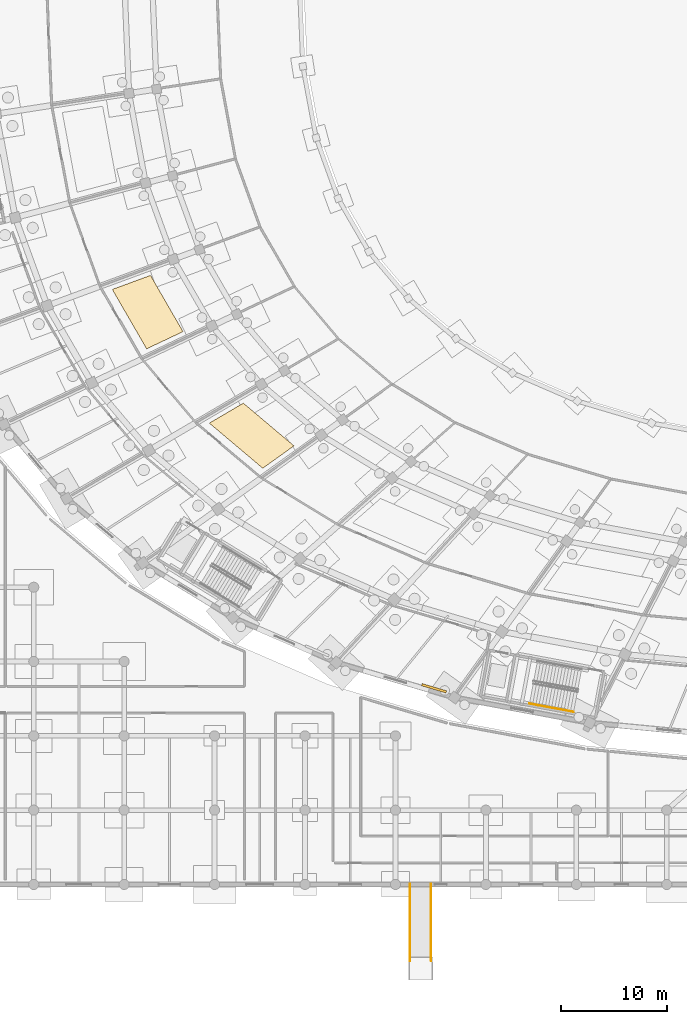
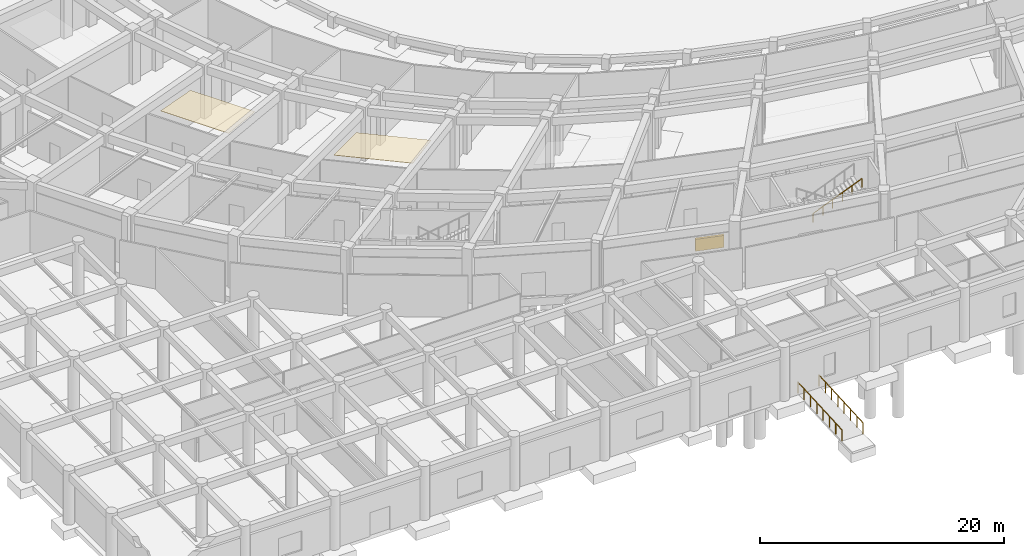
# One storey, part 69 of 88: 3 railings, 2 coverings, 1 shading device.
"""IFC4 building model written with IfcOpenShell, lengths in metres."""

from ifc_helpers import new_model, si_unit, direction, frame, origin, origin_2d, place, context, subcontext, project, spatial, polyline, rectangle, circle, outline, extrude, material, layer, layer_set, type_object, element, save


model = new_model("IFC4")

# Units and contexts
model_context = context("Model", 3, precision=1e-05, world=origin(), true_north=direction((0.0, 1.0)))
body_context = subcontext(model_context, "Body", "Model", "MODEL_VIEW")
ifc_project = project(units=[si_unit("LENGTHUNIT", "METRE"), si_unit("AREAUNIT", "SQUARE_METRE"), si_unit("VOLUMEUNIT", "CUBIC_METRE"), si_unit("PLANEANGLEUNIT", "RADIAN"), si_unit("MASSUNIT", "GRAM", prefix="KILO")], contexts=[model_context])

# Site, building, storey
site_placement = place(None, origin())
site = spatial("IfcSite", under=ifc_project, at=site_placement, CompositionType="ELEMENT")
building_placement = place(site_placement, origin())
building = spatial("IfcBuilding", under=site, at=building_placement, Name="Mphavela Belvedere Stadium", CompositionType="ELEMENT")
storey_placement = place(building_placement, origin())
storey = spatial("IfcBuildingStorey", under=building, at=storey_placement, Name="L00", CompositionType="ELEMENT", Elevation=0.0)

# Coverings
ifc_material_1 = material(Name="Perforated acoustic mineral ceiling tile")
ifc_layer = layer(ifc_material_1, 0.0400390625)
ifc_layer_set = layer_set([ifc_layer], Name="Perforated acoustic mineral ceiling tile")
covering_type = type_object("IfcCoveringType", Name="COV-CEILING-ACOUSTIC", PredefinedType="CEILING", material=ifc_layer_set)
covering_1_placement = place(storey_placement, frame((0.0, 0.0, 4.10009765625)))
element("IfcCovering", 1, at=covering_1_placement, inside=storey, type_object=covering_type, Name="Concourse acoustic ceiling L00-28", PredefinedType="CEILING", context=body_context, shape_type="SweptSolid", body=[
    extrude(outline(polyline([(36.55224609375, 57.37451171875), (39.614501953125, 52.07861328125), (36.189208984375, 50.457275390625), (32.955810546875, 56.049560546875), (36.55224609375, 57.37451171875)])), origin(), (0.0, 0.0, 1.0), 0.039794921875),
])
covering_2_placement = place(storey_placement, frame((0.0, 0.0, 4.10009765625)))
element("IfcCovering", 2, at=covering_2_placement, inside=storey, type_object=covering_type, Name="Concourse acoustic ceiling L00-30", PredefinedType="CEILING", context=body_context, shape_type="SweptSolid", body=[
    extrude(outline(polyline([(45.30078125, 45.339111328125), (50.068359375, 41.316162109375), (47.129150390625, 39.210205078125), (42.094970703125, 43.4580078125), (45.30078125, 45.339111328125)])), origin(), (0.0, 0.0, 1.0), 0.039794921875),
])

# Railings
ifc_material_2 = material(Name="Painted galvanised steel stair guardrail", Category="steel")
railing_type_1 = type_object("IfcRailingType", Name="RAL-GUARD-1120", PredefinedType="GUARDRAIL", material=ifc_material_2)
for number, where, name in (
    (3, (63.0, -7.199951171875, -0.39990234375), "Ramp RP1 guardrail R"),
    (4, (61.0, -7.199951171875, -0.39990234375), "Ramp RP1 guardrail L"),
):
    element("IfcRailing", number, at=place(storey_placement, frame(where)), inside=storey, type_object=railing_type_1, Name=name, PredefinedType="GUARDRAIL", context=body_context, shape_type="SweptSolid", body=[
        extrude(circle(Radius=0.02392578125, at=origin_2d()), frame((0.0, 0.0, 1.09619140625), z_axis=(0.0, 0.998482207996, 0.055075224161), x_axis=(-1.0, 0.0, 0.0)), (0.0, 0.0, 1.0), 7.260986328125),
        extrude(circle(Radius=0.02099609375, at=origin_2d()), origin(), (0.0, 0.0, 1.0), 1.072021484375),
        extrude(circle(Radius=0.02099609375, at=origin_2d()), frame((0.0, 1.03564453125, 0.05712890625)), (0.0, 0.0, 1.0), 1.072021484375),
        extrude(circle(Radius=0.02099609375, at=origin_2d()), frame((0.0, 2.071533203125, 0.1142578125)), (0.0, 0.0, 1.0), 1.072021484375),
        extrude(circle(Radius=0.02099609375, at=origin_2d()), frame((0.0, 3.107177734375, 0.17138671875)), (0.0, 0.0, 1.0), 1.072021484375),
        extrude(circle(Radius=0.02099609375, at=origin_2d()), frame((0.0, 4.142822265625, 0.228515625)), (0.0, 0.0, 1.0), 1.072021484375),
        extrude(circle(Radius=0.02099609375, at=origin_2d()), frame((0.0, 5.178466796875, 0.28564453125)), (0.0, 0.0, 1.0), 1.072021484375),
        extrude(circle(Radius=0.02099609375, at=origin_2d()), frame((0.0, 6.21435546875, 0.3427734375)), (0.0, 0.0, 1.0), 1.072021484375),
        extrude(circle(Radius=0.02099609375, at=origin_2d()), frame((0.0, 7.25, 0.39990234375)), (0.0, 0.0, 1.0), 1.072021484375),
    ])
ifc_material_3 = material(Name="Brushed stainless steel tubular handrail", Category="steel")
railing_type_2 = type_object("IfcRailingType", Name="RAL-HANDRAIL-900", PredefinedType="HANDRAIL", material=ifc_material_3)
railing_placement = place(storey_placement, frame((72.256103515625, 17.02880859375, 2.8798828125)))
element("IfcRailing", 5, at=railing_placement, inside=storey, type_object=railing_type_2, Name="L00 ST-C11 stair handrail 2", PredefinedType="HANDRAIL", context=body_context, shape_type="SweptSolid", body=[
    extrude(circle(Radius=0.02392578125, at=origin_2d()), frame((0.0, 0.0, 0.8759765625), z_axis=(0.844469166388, -0.1572870324, 0.51198888314), x_axis=(0.183106500193, 0.98309308287, 0.0)), (0.0, 0.0, 1.0), 4.922119140625),
    extrude(circle(Radius=0.02099609375, at=origin_2d()), origin(), (0.0, 0.0, 1.0), 0.851806640625),
    extrude(circle(Radius=0.02099609375, at=origin_2d()), frame((0.831298828125, -0.15478515625, 0.50390625)), (0.0, 0.0, 1.0), 0.851806640625),
    extrude(circle(Radius=0.02099609375, at=origin_2d()), frame((1.66259765625, -0.3095703125, 1.008056640625)), (0.0, 0.0, 1.0), 0.851806640625),
    extrude(circle(Radius=0.02099609375, at=origin_2d()), frame((2.493896484375, -0.464599609375, 1.511962890625)), (0.0, 0.0, 1.0), 0.851806640625),
    extrude(circle(Radius=0.02099609375, at=origin_2d()), frame((3.3251953125, -0.619384765625, 2.01611328125)), (0.0, 0.0, 1.0), 0.851806640625),
    extrude(circle(Radius=0.02099609375, at=origin_2d()), frame((4.156494140625, -0.774169921875, 2.52001953125)), (0.0, 0.0, 1.0), 0.851806640625),
])

# Shading device
ifc_material_4 = material(Name="Anodised bronze acoustic ventilation louvre")
shading_device_type = type_object("IfcShadingDeviceType", Name="SHD-LOUVRE-BRZ", PredefinedType="JALOUSIE", material=ifc_material_4)
shading_device_placement = place(storey_placement, frame((63.27001953125, 18.47802734375, 2.5), z_axis=(0.0, 0.0, 1.0), x_axis=(-0.958670893355, 0.284517342588, 0.0)))
element("IfcShadingDevice", 6, at=shading_device_placement, inside=storey, type_object=shading_device_type, Name="Concourse plant ventilation louvre LV-12", PredefinedType="JALOUSIE", context=body_context, shape_type="SweptSolid", body=[
    extrude(rectangle(XDim=2.39990234375, YDim=0.219970703125, at=origin_2d()), origin(), (0.0, 0.0, 1.0), 1.199951171875),
])

save(model, "model.ifc")
